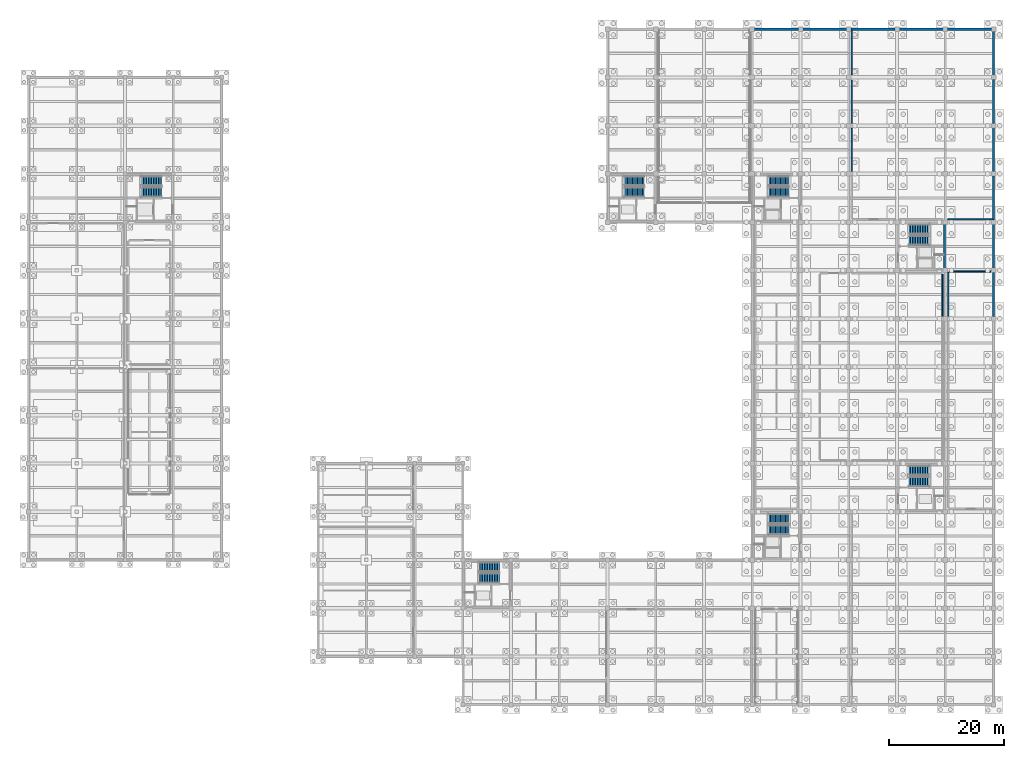
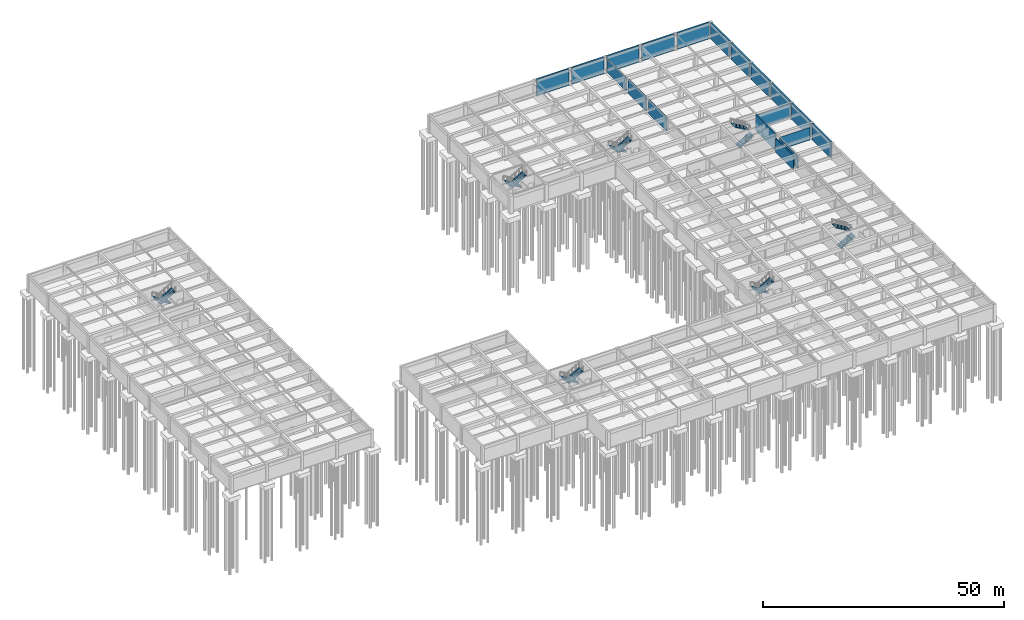
# One storey, part 24 of 33: 19 walls, 14 stair flights, 7 elements without a shape of their own.
"""IFC4 building model written with IfcOpenShell, lengths in metres."""

from ifc_helpers import new_model, si_unit, direction, frame, frame_2d, origin, place, context, subcontext, project, spatial, polyline, rectangle, outline, extrude, material, layer, layer_set, type_object, element, aggregate, save


model = new_model("IFC4")

# Units and contexts
model_context = context("Model", 3, precision=1e-05, world=origin(), true_north=direction((0.0, 1.0)))
body_context = subcontext(model_context, "Body", "Model", "MODEL_VIEW")
ifc_project = project(units=[si_unit("LENGTHUNIT", "METRE"), si_unit("AREAUNIT", "SQUARE_METRE"), si_unit("VOLUMEUNIT", "CUBIC_METRE"), si_unit("PLANEANGLEUNIT", "RADIAN"), si_unit("MASSUNIT", "GRAM", prefix="KILO")], contexts=[model_context])

# Site, building, storey
site_placement = place(None, origin())
site = spatial("IfcSite", under=ifc_project, at=site_placement, CompositionType="ELEMENT")
building_placement = place(site_placement, origin())
building = spatial("IfcBuilding", under=site, at=building_placement, Name="Kveldsbrygga Polytechnic", CompositionType="ELEMENT")
storey_placement = place(building_placement, frame((0.0, 0.0, -4.419921875)))
storey = spatial("IfcBuildingStorey", under=building, at=storey_placement, Name="B1", CompositionType="ELEMENT", Elevation=-4.419921875)

# Walls
ifc_material_1 = material(Name="Concrete blockwork masonry", Category="masonry")
ifc_layer_1 = layer(ifc_material_1, 0.2099609375)
ifc_layer_set_1 = layer_set([ifc_layer_1], Name="Concrete blockwork masonry")
wall_type_1 = type_object("IfcWallType", Name="IW-PLT-210", PredefinedType="PARTITIONING", material=ifc_layer_set_1)
wall_1_placement = place(storey_placement, frame((160.25, 75.39990234375, 0.0), z_axis=(0.0, 0.0, 1.0), x_axis=(1.0, 0.0, 0.0)))
element("IfcWall", 1, at=wall_1_placement, inside=storey, type_object=wall_type_1, Name="Partition Wall IW-SP-B1-SPRK-N1", PredefinedType="PARTITIONING", context=body_context, shape_type="SweptSolid", body=[
    extrude(rectangle(XDim=7.199951171875, YDim=0.2099609375, at=frame_2d((3.60009765625, 0.0))), origin(), (0.0, 0.0, 1.0), 3.169921875),
])
wall_2_placement = place(storey_placement, frame((160.10009765625, 67.64990234375, 0.0), z_axis=(0.0, 0.0, 1.0), x_axis=(0.0, 1.0, 0.0)))
element("IfcWall", 2, at=wall_2_placement, inside=storey, type_object=wall_type_1, Name="Partition Wall IW-SP-B1-SPRK-W5", PredefinedType="PARTITIONING", context=body_context, shape_type="SweptSolid", body=[
    extrude(rectangle(XDim=7.60009765625, YDim=0.2099609375, at=frame_2d((3.800048828125, 0.0))), origin(), (0.0, 0.0, 1.0), 3.169921875),
])
wall_3_placement = place(storey_placement, frame((159.10009765625, 67.64990234375, 0.0), z_axis=(0.0, 0.0, 1.0), x_axis=(0.0, 1.0, 0.0)))
element("IfcWall", 3, at=wall_3_placement, inside=storey, type_object=wall_type_1, Name="Partition Wall IW-SP-B1-ELEC2-E4", PredefinedType="PARTITIONING", context=body_context, shape_type="SweptSolid", body=[
    extrude(rectangle(XDim=7.300048828125, YDim=0.2099609375, at=frame_2d((3.64990234375, 0.0))), origin(), (0.0, 0.0, 1.0), 3.56982421875),
])
wall_4_placement = place(storey_placement, frame((160.050048828125, 84.5, 0.0), z_axis=(0.0, 0.0, 1.0), x_axis=(1.0, 0.0, 0.0)))
element("IfcWall", 4, at=wall_4_placement, inside=storey, type_object=wall_type_1, Name="Partition Wall IW-SP-B1-AHU-S3", PredefinedType="PARTITIONING", context=body_context, shape_type="SweptSolid", body=[
    extrude(rectangle(XDim=7.77001953125, YDim=0.2099609375, at=frame_2d((3.885009765625, 0.0))), origin(), (0.0, 0.0, 1.0), 3.369873046875),
])
wall_5_placement = place(storey_placement, frame((143.300048828125, 92.860107421875, 0.0), z_axis=(0.0, 0.0, 1.0), x_axis=(0.0, 1.0, 0.0)))
element("IfcWall", 5, at=wall_5_placement, inside=storey, type_object=wall_type_1, Name="Partition Wall IW-SP-B1-AHU-W2", PredefinedType="PARTITIONING", context=body_context, shape_type="SweptSolid", body=[
    extrude(rectangle(XDim=7.489990234375, YDim=0.2099609375, at=frame_2d((3.7451171875, 0.0))), origin(), (0.0, 0.0, 1.0), 3.56982421875),
])
wall_6_placement = place(storey_placement, frame((143.300048828125, 101.25, 0.0), z_axis=(0.0, 0.0, 1.0), x_axis=(0.0, 1.0, 0.0)))
element("IfcWall", 6, at=wall_6_placement, inside=storey, type_object=wall_type_1, Name="Partition Wall IW-SP-B1-AHU-W3", PredefinedType="PARTITIONING", context=body_context, shape_type="SweptSolid", body=[
    extrude(rectangle(XDim=7.489990234375, YDim=0.2099609375, at=frame_2d((3.7451171875, 0.0))), origin(), (0.0, 0.0, 1.0), 3.559814453125),
])
wall_7_placement = place(storey_placement, frame((143.300048828125, 109.659912109375, 0.0), z_axis=(0.0, 0.0, 1.0), x_axis=(0.0, 1.0, 0.0)))
element("IfcWall", 7, at=wall_7_placement, inside=storey, type_object=wall_type_1, Name="Partition Wall IW-SP-B1-AHU-W4", PredefinedType="PARTITIONING", context=body_context, shape_type="SweptSolid", body=[
    extrude(rectangle(XDim=7.760009765625, YDim=0.2099609375, at=frame_2d((3.8798828125, 0.0))), origin(), (0.0, 0.0, 1.0), 3.3798828125),
])
ifc_material_2 = material(Name="Concrete C45/55", Category="concrete")
ifc_layer_2 = layer(ifc_material_2, 0.300048828125)
ifc_layer_set_2 = layer_set([ifc_layer_2], Name="Concrete C45/55")
wall_type_2 = type_object("IfcWallType", Name="WL-CORE-300", PredefinedType="SHEAR", material=ifc_layer_set_2)
wall_8_placement = place(storey_placement, frame((159.449951171875, 75.75, 0.0), z_axis=(0.0, 0.0, 1.0), x_axis=(0.0, 1.0, 0.0)))
element("IfcWall", 8, at=wall_8_placement, inside=storey, type_object=wall_type_2, Name="Core C4 Shear Wall C4-B1-SW-E", PredefinedType="SHEAR", context=body_context, shape_type="SweptSolid", body=[
    extrude(rectangle(XDim=8.10009765625, YDim=0.300048828125, at=frame_2d((4.050048828125, 0.0))), origin(), (0.0, 0.0, 1.0), 4.119873046875),
])
ifc_material_3 = material(Name="Concrete C35/45", Category="concrete")
ifc_layer_3 = layer(ifc_material_3, 0.360107421875)
ifc_layer_set_3 = layer_set([ifc_layer_3], Name="Concrete C35/45")
wall_type_3 = type_object("IfcWallType", Name="WL-RET-360", PredefinedType="USERDEFINED", material=ifc_layer_set_3)
for number, where, z_axis, x_axis, name in (
    (9, (168.0, 67.550048828125, 0.0), (0.0, 0.0, 1.0), (0.0, 1.0, 0.0), "Basement Retaining Wall RW-E-19-08"),
    (10, (168.0, 75.949951171875, 0.0), (0.0, 0.0, 1.0), (0.0, 1.0, 0.0), "Basement Retaining Wall RW-E-19-09"),
    (11, (168.0, 84.35009765625, 0.0), (0.0, 0.0, 1.0), (0.0, 1.0, 0.0), "Basement Retaining Wall RW-E-19-10"),
    (12, (168.0, 92.75, 0.0), (0.0, 0.0, 1.0), (0.0, 1.0, 0.0), "Basement Retaining Wall RW-E-19-11"),
):
    element("IfcWall", number, at=place(storey_placement, frame(where, z_axis=z_axis, x_axis=x_axis)), inside=storey, type_object=wall_type_3, Name=name, ObjectType="RETAININGWALL", PredefinedType="USERDEFINED", context=body_context, shape_type="SweptSolid", body=[
        extrude(rectangle(XDim=7.699951171875, YDim=0.360107421875, at=frame_2d((3.85009765625, 0.0))), origin(), (0.0, 0.0, 1.0), 4.119873046875),
    ])
wall_9_placement = place(storey_placement, frame((168.0, 101.14990234375, 0.0), z_axis=(0.0, 0.0, 1.0), x_axis=(0.0, 1.0, 0.0)))
element("IfcWall", 13, at=wall_9_placement, inside=storey, type_object=wall_type_3, Name="Basement Retaining Wall RW-E-19-12", ObjectType="RETAININGWALL", PredefinedType="USERDEFINED", context=body_context, shape_type="SweptSolid", body=[
    extrude(rectangle(XDim=7.7001953125, YDim=0.360107421875, at=frame_2d((3.85009765625, 0.0))), origin(), (0.0, 0.0, 1.0), 4.119873046875),
])
wall_10_placement = place(storey_placement, frame((168.0, 109.550048828125, 0.0), z_axis=(0.0, 0.0, 1.0), x_axis=(0.0, 1.0, 0.0)))
element("IfcWall", 14, at=wall_10_placement, inside=storey, type_object=wall_type_3, Name="Basement Retaining Wall RW-E-19-13", ObjectType="RETAININGWALL", PredefinedType="USERDEFINED", context=body_context, shape_type="SweptSolid", body=[
    extrude(rectangle(XDim=7.699951171875, YDim=0.360107421875, at=frame_2d((3.85009765625, 0.0))), origin(), (0.0, 0.0, 1.0), 4.119873046875),
])
ifc_layer_4 = layer(ifc_material_3, 0.39990234375)
ifc_layer_set_4 = layer_set([ifc_layer_4], Name="Concrete C35/45")
wall_type_4 = type_object("IfcWallType", Name="WL-RET-400", PredefinedType="USERDEFINED", material=ifc_layer_set_4)
for number, where, z_axis, x_axis, name in (
    (15, (126.35009765625, 117.60009765625, 0.0), (0.0, 0.0, 1.0), (1.0, 0.0, 0.0), "Basement Retaining Wall RW-N-15-13"),
    (16, (134.75, 117.60009765625, 0.0), (0.0, 0.0, 1.0), (1.0, 0.0, 0.0), "Basement Retaining Wall RW-N-16-13"),
):
    element("IfcWall", number, at=place(storey_placement, frame(where, z_axis=z_axis, x_axis=x_axis)), inside=storey, type_object=wall_type_4, Name=name, ObjectType="RETAININGWALL", PredefinedType="USERDEFINED", context=body_context, shape_type="SweptSolid", body=[
        extrude(rectangle(XDim=7.699951171875, YDim=0.39990234375, at=frame_2d((3.85009765625, 0.0))), origin(), (0.0, 0.0, 1.0), 4.119873046875),
    ])
wall_11_placement = place(storey_placement, frame((143.14990234375, 117.60009765625, 0.0), z_axis=(0.0, 0.0, 1.0), x_axis=(1.0, 0.0, 0.0)))
element("IfcWall", 17, at=wall_11_placement, inside=storey, type_object=wall_type_4, Name="Basement Retaining Wall RW-N-17-13", ObjectType="RETAININGWALL", PredefinedType="USERDEFINED", context=body_context, shape_type="SweptSolid", body=[
    extrude(rectangle(XDim=7.7001953125, YDim=0.39990234375, at=frame_2d((3.85009765625, 0.0))), origin(), (0.0, 0.0, 1.0), 4.119873046875),
])
for number, where, z_axis, x_axis, name in (
    (18, (151.550048828125, 117.60009765625, 0.0), (0.0, 0.0, 1.0), (1.0, 0.0, 0.0), "Basement Retaining Wall RW-N-18-13"),
    (19, (159.949951171875, 117.60009765625, 0.0), (0.0, 0.0, 1.0), (1.0, 0.0, 0.0), "Basement Retaining Wall RW-N-19-13"),
):
    element("IfcWall", number, at=place(storey_placement, frame(where, z_axis=z_axis, x_axis=x_axis)), inside=storey, type_object=wall_type_4, Name=name, ObjectType="RETAININGWALL", PredefinedType="USERDEFINED", context=body_context, shape_type="SweptSolid", body=[
        extrude(rectangle(XDim=7.699951171875, YDim=0.39990234375, at=frame_2d((3.85009765625, 0.0))), origin(), (0.0, 0.0, 1.0), 4.119873046875),
    ])

# Stair, stair flights
stair_type = type_object("IfcStairType", Name="STR-CORE-442", PredefinedType="HALF_TURN_STAIR", material=ifc_material_3)
stair_1_placement = place(storey_placement, origin())
stair_1 = element("IfcStair", 20, at=stair_1_placement, inside=storey, type_object=stair_type, Name="B1 Core C1 Escape Stair ST-1", PredefinedType="HALF_TURN_STAIR")
stair_flight_type = type_object("IfcStairFlightType", Name="SFL-CORE-13R", PredefinedType="STRAIGHT", material=ifc_material_3)
stair_flight_1_placement = place(storey_placement, frame((132.35009765625, 32.375, 0.0), z_axis=(0.0, 0.0, 1.0), x_axis=(-1.0, 0.0, 0.0)))
stair_flight_1 = element("IfcStairFlight", 21, at=stair_flight_1_placement, type_object=stair_flight_type, Name="ST-1 flight 1", NumberOfRisers=13, NumberOfTreads=12, PredefinedType="STRAIGHT", RiserHeight=0.17, TreadLength=0.29, context=body_context, shape_type="SweptSolid", body=[
    extrude(outline(polyline([(0.0, 0.0), (0.0, 0.169921875), (0.2900390625, 0.169921875), (0.2900390625, 0.340087890625), (0.580078125, 0.340087890625), (0.580078125, 0.510009765625), (0.8701171875, 0.510009765625), (0.8701171875, 0.679931640625), (1.159912109375, 0.679931640625), (1.159912109375, 0.85009765625), (1.449951171875, 0.85009765625), (1.449951171875, 1.02001953125), (1.739990234375, 1.02001953125), (1.739990234375, 1.18994140625), (2.030029296875, 1.18994140625), (2.030029296875, 1.360107421875), (2.320068359375, 1.360107421875), (2.320068359375, 1.530029296875), (2.610107421875, 1.530029296875), (2.610107421875, 1.699951171875), (2.89990234375, 1.699951171875), (2.89990234375, 1.8701171875), (3.18994140625, 1.8701171875), (3.18994140625, 2.0400390625), (3.47998046875, 2.0400390625), (3.47998046875, 2.2099609375), (3.47998046875, 1.854736328125), (0.316162109375, 0.0), (0.0, 0.0)])), frame((0.0, 0.824951171875, 0.0), z_axis=(0.0, -1.0, 0.0), x_axis=(1.0, 0.0, 0.0)), (0.0, 0.0, 1.0), 1.64990234375),
])
stair_flight_2_placement = place(storey_placement, frame((128.8701171875, 30.425048828125, 2.2099609375), z_axis=(0.0, 0.0, 1.0), x_axis=(1.0, 0.0, 0.0)))
stair_flight_2 = element("IfcStairFlight", 22, at=stair_flight_2_placement, type_object=stair_flight_type, Name="ST-1 flight 2", NumberOfRisers=13, NumberOfTreads=12, PredefinedType="STRAIGHT", RiserHeight=0.17, TreadLength=0.29, context=body_context, shape_type="SweptSolid", body=[
    extrude(outline(polyline([(0.0, 0.0), (0.0, 0.169921875), (0.2900390625, 0.169921875), (0.2900390625, 0.340087890625), (0.580078125, 0.340087890625), (0.580078125, 0.510009765625), (0.8701171875, 0.510009765625), (0.8701171875, 0.679931640625), (1.159912109375, 0.679931640625), (1.159912109375, 0.85009765625), (1.449951171875, 0.85009765625), (1.449951171875, 1.02001953125), (1.739990234375, 1.02001953125), (1.739990234375, 1.18994140625), (2.030029296875, 1.18994140625), (2.030029296875, 1.360107421875), (2.320068359375, 1.360107421875), (2.320068359375, 1.530029296875), (2.610107421875, 1.530029296875), (2.610107421875, 1.699951171875), (2.89990234375, 1.699951171875), (2.89990234375, 1.8701171875), (3.18994140625, 1.8701171875), (3.18994140625, 2.0400390625), (3.47998046875, 2.0400390625), (3.47998046875, 2.2099609375), (3.47998046875, 1.854736328125), (0.316162109375, 0.0), (0.0, 0.0)])), frame((0.0, 0.824951171875, 0.0), z_axis=(0.0, -1.0, 0.0), x_axis=(1.0, 0.0, 0.0)), (0.0, 0.0, 1.0), 1.64990234375),
])
aggregate(stair_1, [stair_flight_1, stair_flight_2])

stair_2_placement = place(storey_placement, origin())
stair_2 = element("IfcStair", 23, at=stair_2_placement, inside=storey, type_object=stair_type, Name="B1 Core C2 Escape Stair ST-2", PredefinedType="HALF_TURN_STAIR")
stair_flight_3_placement = place(storey_placement, frame((132.35009765625, 91.175048828125, 0.0), z_axis=(0.0, 0.0, 1.0), x_axis=(-1.0, 0.0, 0.0)))
stair_flight_3 = element("IfcStairFlight", 24, at=stair_flight_3_placement, type_object=stair_flight_type, Name="ST-2 flight 1", NumberOfRisers=13, NumberOfTreads=12, PredefinedType="STRAIGHT", RiserHeight=0.17, TreadLength=0.29, context=body_context, shape_type="SweptSolid", body=[
    extrude(outline(polyline([(0.0, 0.0), (0.0, 0.169921875), (0.2900390625, 0.169921875), (0.2900390625, 0.340087890625), (0.580078125, 0.340087890625), (0.580078125, 0.510009765625), (0.8701171875, 0.510009765625), (0.8701171875, 0.679931640625), (1.159912109375, 0.679931640625), (1.159912109375, 0.85009765625), (1.449951171875, 0.85009765625), (1.449951171875, 1.02001953125), (1.739990234375, 1.02001953125), (1.739990234375, 1.18994140625), (2.030029296875, 1.18994140625), (2.030029296875, 1.360107421875), (2.320068359375, 1.360107421875), (2.320068359375, 1.530029296875), (2.610107421875, 1.530029296875), (2.610107421875, 1.699951171875), (2.89990234375, 1.699951171875), (2.89990234375, 1.8701171875), (3.18994140625, 1.8701171875), (3.18994140625, 2.0400390625), (3.47998046875, 2.0400390625), (3.47998046875, 2.2099609375), (3.47998046875, 1.854736328125), (0.316162109375, 0.0), (0.0, 0.0)])), frame((0.0, 0.824951171875, 0.0), z_axis=(0.0, -1.0, 0.0), x_axis=(1.0, 0.0, 0.0)), (0.0, 0.0, 1.0), 1.64990234375),
])
stair_flight_4_placement = place(storey_placement, frame((128.8701171875, 89.22509765625, 2.2099609375), z_axis=(0.0, 0.0, 1.0), x_axis=(1.0, 0.0, 0.0)))
stair_flight_4 = element("IfcStairFlight", 25, at=stair_flight_4_placement, type_object=stair_flight_type, Name="ST-2 flight 2", NumberOfRisers=13, NumberOfTreads=12, PredefinedType="STRAIGHT", RiserHeight=0.17, TreadLength=0.29, context=body_context, shape_type="SweptSolid", body=[
    extrude(outline(polyline([(0.0, 0.0), (0.0, 0.169921875), (0.2900390625, 0.169921875), (0.2900390625, 0.340087890625), (0.580078125, 0.340087890625), (0.580078125, 0.510009765625), (0.8701171875, 0.510009765625), (0.8701171875, 0.679931640625), (1.159912109375, 0.679931640625), (1.159912109375, 0.85009765625), (1.449951171875, 0.85009765625), (1.449951171875, 1.02001953125), (1.739990234375, 1.02001953125), (1.739990234375, 1.18994140625), (2.030029296875, 1.18994140625), (2.030029296875, 1.360107421875), (2.320068359375, 1.360107421875), (2.320068359375, 1.530029296875), (2.610107421875, 1.530029296875), (2.610107421875, 1.699951171875), (2.89990234375, 1.699951171875), (2.89990234375, 1.8701171875), (3.18994140625, 1.8701171875), (3.18994140625, 2.0400390625), (3.47998046875, 2.0400390625), (3.47998046875, 2.2099609375), (3.47998046875, 1.854736328125), (0.316162109375, 0.0), (0.0, 0.0)])), frame((0.0, 0.824951171875, 0.0), z_axis=(0.0, -1.0, 0.0), x_axis=(1.0, 0.0, 0.0)), (0.0, 0.0, 1.0), 1.64990234375),
])
aggregate(stair_2, [stair_flight_3, stair_flight_4])

stair_3_placement = place(storey_placement, origin())
stair_3 = element("IfcStair", 26, at=stair_3_placement, inside=storey, type_object=stair_type, Name="B1 Core C3 Escape Stair ST-3", PredefinedType="HALF_TURN_STAIR")
stair_flight_5_placement = place(storey_placement, frame((153.25, 38.824951171875, 0.0), z_axis=(0.0, 0.0, 1.0), x_axis=(1.0, 0.0, 0.0)))
stair_flight_5 = element("IfcStairFlight", 27, at=stair_flight_5_placement, type_object=stair_flight_type, Name="ST-3 flight 1", NumberOfRisers=13, NumberOfTreads=12, PredefinedType="STRAIGHT", RiserHeight=0.17, TreadLength=0.29, context=body_context, shape_type="SweptSolid", body=[
    extrude(outline(polyline([(0.0, 0.0), (0.0, 0.169921875), (0.2900390625, 0.169921875), (0.2900390625, 0.340087890625), (0.580078125, 0.340087890625), (0.580078125, 0.510009765625), (0.8701171875, 0.510009765625), (0.8701171875, 0.679931640625), (1.159912109375, 0.679931640625), (1.159912109375, 0.85009765625), (1.449951171875, 0.85009765625), (1.449951171875, 1.02001953125), (1.739990234375, 1.02001953125), (1.739990234375, 1.18994140625), (2.030029296875, 1.18994140625), (2.030029296875, 1.360107421875), (2.320068359375, 1.360107421875), (2.320068359375, 1.530029296875), (2.610107421875, 1.530029296875), (2.610107421875, 1.699951171875), (2.89990234375, 1.699951171875), (2.89990234375, 1.8701171875), (3.18994140625, 1.8701171875), (3.18994140625, 2.0400390625), (3.47998046875, 2.0400390625), (3.47998046875, 2.2099609375), (3.47998046875, 1.854736328125), (0.316162109375, 0.0), (0.0, 0.0)])), frame((0.0, 0.824951171875, 0.0), z_axis=(0.0, -1.0, 0.0), x_axis=(1.0, 0.0, 0.0)), (0.0, 0.0, 1.0), 1.64990234375),
])
stair_flight_6_placement = place(storey_placement, frame((156.72998046875, 40.77490234375, 2.2099609375), z_axis=(0.0, 0.0, 1.0), x_axis=(-1.0, 0.0, 0.0)))
stair_flight_6 = element("IfcStairFlight", 28, at=stair_flight_6_placement, type_object=stair_flight_type, Name="ST-3 flight 2", NumberOfRisers=13, NumberOfTreads=12, PredefinedType="STRAIGHT", RiserHeight=0.17, TreadLength=0.29, context=body_context, shape_type="SweptSolid", body=[
    extrude(outline(polyline([(0.0, 0.0), (0.0, 0.169921875), (0.2900390625, 0.169921875), (0.2900390625, 0.340087890625), (0.580078125, 0.340087890625), (0.580078125, 0.510009765625), (0.8701171875, 0.510009765625), (0.8701171875, 0.679931640625), (1.159912109375, 0.679931640625), (1.159912109375, 0.85009765625), (1.449951171875, 0.85009765625), (1.449951171875, 1.02001953125), (1.739990234375, 1.02001953125), (1.739990234375, 1.18994140625), (2.030029296875, 1.18994140625), (2.030029296875, 1.360107421875), (2.320068359375, 1.360107421875), (2.320068359375, 1.530029296875), (2.610107421875, 1.530029296875), (2.610107421875, 1.699951171875), (2.89990234375, 1.699951171875), (2.89990234375, 1.8701171875), (3.18994140625, 1.8701171875), (3.18994140625, 2.0400390625), (3.47998046875, 2.0400390625), (3.47998046875, 2.2099609375), (3.47998046875, 1.854736328125), (0.316162109375, 0.0), (0.0, 0.0)])), frame((0.0, 0.824951171875, 0.0), z_axis=(0.0, -1.0, 0.0), x_axis=(1.0, 0.0, 0.0)), (0.0, 0.0, 1.0), 1.64990234375),
])
aggregate(stair_3, [stair_flight_5, stair_flight_6])

stair_4_placement = place(storey_placement, origin())
stair_4 = element("IfcStair", 29, at=stair_4_placement, inside=storey, type_object=stair_type, Name="B1 Core C4 Escape Stair ST-4", PredefinedType="HALF_TURN_STAIR")
stair_flight_7_placement = place(storey_placement, frame((153.25, 80.824951171875, 0.0), z_axis=(0.0, 0.0, 1.0), x_axis=(1.0, 0.0, 0.0)))
stair_flight_7 = element("IfcStairFlight", 30, at=stair_flight_7_placement, type_object=stair_flight_type, Name="ST-4 flight 1", NumberOfRisers=13, NumberOfTreads=12, PredefinedType="STRAIGHT", RiserHeight=0.17, TreadLength=0.29, context=body_context, shape_type="SweptSolid", body=[
    extrude(outline(polyline([(0.0, 0.0), (0.0, 0.169921875), (0.2900390625, 0.169921875), (0.2900390625, 0.340087890625), (0.580078125, 0.340087890625), (0.580078125, 0.510009765625), (0.8701171875, 0.510009765625), (0.8701171875, 0.679931640625), (1.159912109375, 0.679931640625), (1.159912109375, 0.85009765625), (1.449951171875, 0.85009765625), (1.449951171875, 1.02001953125), (1.739990234375, 1.02001953125), (1.739990234375, 1.18994140625), (2.030029296875, 1.18994140625), (2.030029296875, 1.360107421875), (2.320068359375, 1.360107421875), (2.320068359375, 1.530029296875), (2.610107421875, 1.530029296875), (2.610107421875, 1.699951171875), (2.89990234375, 1.699951171875), (2.89990234375, 1.8701171875), (3.18994140625, 1.8701171875), (3.18994140625, 2.0400390625), (3.47998046875, 2.0400390625), (3.47998046875, 2.2099609375), (3.47998046875, 1.854736328125), (0.316162109375, 0.0), (0.0, 0.0)])), frame((0.0, 0.824951171875, 0.0), z_axis=(0.0, -1.0, 0.0), x_axis=(1.0, 0.0, 0.0)), (0.0, 0.0, 1.0), 1.64990234375),
])
stair_flight_8_placement = place(storey_placement, frame((156.72998046875, 82.77490234375, 2.2099609375), z_axis=(0.0, 0.0, 1.0), x_axis=(-1.0, 0.0, 0.0)))
stair_flight_8 = element("IfcStairFlight", 31, at=stair_flight_8_placement, type_object=stair_flight_type, Name="ST-4 flight 2", NumberOfRisers=13, NumberOfTreads=12, PredefinedType="STRAIGHT", RiserHeight=0.17, TreadLength=0.29, context=body_context, shape_type="SweptSolid", body=[
    extrude(outline(polyline([(0.0, 0.0), (0.0, 0.169921875), (0.2900390625, 0.169921875), (0.2900390625, 0.340087890625), (0.580078125, 0.340087890625), (0.580078125, 0.510009765625), (0.8701171875, 0.510009765625), (0.8701171875, 0.679931640625), (1.159912109375, 0.679931640625), (1.159912109375, 0.85009765625), (1.449951171875, 0.85009765625), (1.449951171875, 1.02001953125), (1.739990234375, 1.02001953125), (1.739990234375, 1.18994140625), (2.030029296875, 1.18994140625), (2.030029296875, 1.360107421875), (2.320068359375, 1.360107421875), (2.320068359375, 1.530029296875), (2.610107421875, 1.530029296875), (2.610107421875, 1.699951171875), (2.89990234375, 1.699951171875), (2.89990234375, 1.8701171875), (3.18994140625, 1.8701171875), (3.18994140625, 2.0400390625), (3.47998046875, 2.0400390625), (3.47998046875, 2.2099609375), (3.47998046875, 1.854736328125), (0.316162109375, 0.0), (0.0, 0.0)])), frame((0.0, 0.824951171875, 0.0), z_axis=(0.0, -1.0, 0.0), x_axis=(1.0, 0.0, 0.0)), (0.0, 0.0, 1.0), 1.64990234375),
])
aggregate(stair_4, [stair_flight_7, stair_flight_8])

stair_5_placement = place(storey_placement, origin())
stair_5 = element("IfcStair", 32, at=stair_5_placement, inside=storey, type_object=stair_type, Name="B1 Core C5 Escape Stair ST-5", PredefinedType="HALF_TURN_STAIR")
stair_flight_9_placement = place(storey_placement, frame((107.14990234375, 91.175048828125, 0.0), z_axis=(0.0, 0.0, 1.0), x_axis=(-1.0, 0.0, 0.0)))
stair_flight_9 = element("IfcStairFlight", 33, at=stair_flight_9_placement, type_object=stair_flight_type, Name="ST-5 flight 1", NumberOfRisers=13, NumberOfTreads=12, PredefinedType="STRAIGHT", RiserHeight=0.17, TreadLength=0.29, context=body_context, shape_type="SweptSolid", body=[
    extrude(outline(polyline([(0.0, 0.0), (0.0, 0.169921875), (0.2900390625, 0.169921875), (0.2900390625, 0.340087890625), (0.580078125, 0.340087890625), (0.580078125, 0.510009765625), (0.8701171875, 0.510009765625), (0.8701171875, 0.679931640625), (1.159912109375, 0.679931640625), (1.159912109375, 0.85009765625), (1.449951171875, 0.85009765625), (1.449951171875, 1.02001953125), (1.739990234375, 1.02001953125), (1.739990234375, 1.18994140625), (2.030029296875, 1.18994140625), (2.030029296875, 1.360107421875), (2.320068359375, 1.360107421875), (2.320068359375, 1.530029296875), (2.610107421875, 1.530029296875), (2.610107421875, 1.699951171875), (2.89990234375, 1.699951171875), (2.89990234375, 1.8701171875), (3.18994140625, 1.8701171875), (3.18994140625, 2.0400390625), (3.47998046875, 2.0400390625), (3.47998046875, 2.2099609375), (3.47998046875, 1.854736328125), (0.316162109375, 0.0), (0.0, 0.0)])), frame((0.0, 0.824951171875, 0.0), z_axis=(0.0, -1.0, 0.0), x_axis=(1.0, 0.0, 0.0)), (0.0, 0.0, 1.0), 1.64990234375),
])
stair_flight_10_placement = place(storey_placement, frame((103.669921875, 89.22509765625, 2.2099609375), z_axis=(0.0, 0.0, 1.0), x_axis=(1.0, 0.0, 0.0)))
stair_flight_10 = element("IfcStairFlight", 34, at=stair_flight_10_placement, type_object=stair_flight_type, Name="ST-5 flight 2", NumberOfRisers=13, NumberOfTreads=12, PredefinedType="STRAIGHT", RiserHeight=0.17, TreadLength=0.29, context=body_context, shape_type="SweptSolid", body=[
    extrude(outline(polyline([(0.0, 0.0), (0.0, 0.169921875), (0.2900390625, 0.169921875), (0.2900390625, 0.340087890625), (0.580078125, 0.340087890625), (0.580078125, 0.510009765625), (0.8701171875, 0.510009765625), (0.8701171875, 0.679931640625), (1.159912109375, 0.679931640625), (1.159912109375, 0.85009765625), (1.449951171875, 0.85009765625), (1.449951171875, 1.02001953125), (1.739990234375, 1.02001953125), (1.739990234375, 1.18994140625), (2.030029296875, 1.18994140625), (2.030029296875, 1.360107421875), (2.320068359375, 1.360107421875), (2.320068359375, 1.530029296875), (2.610107421875, 1.530029296875), (2.610107421875, 1.699951171875), (2.89990234375, 1.699951171875), (2.89990234375, 1.8701171875), (3.18994140625, 1.8701171875), (3.18994140625, 2.0400390625), (3.47998046875, 2.0400390625), (3.47998046875, 2.2099609375), (3.47998046875, 1.854736328125), (0.316162109375, 0.0), (0.0, 0.0)])), frame((0.0, 0.824951171875, 0.0), z_axis=(0.0, -1.0, 0.0), x_axis=(1.0, 0.0, 0.0)), (0.0, 0.0, 1.0), 1.64990234375),
])
aggregate(stair_5, [stair_flight_9, stair_flight_10])

stair_6_placement = place(storey_placement, origin())
stair_6 = element("IfcStair", 35, at=stair_6_placement, inside=storey, type_object=stair_type, Name="B1 Core C6 Escape Stair ST-6", PredefinedType="HALF_TURN_STAIR")
stair_flight_11_placement = place(storey_placement, frame((81.949951171875, 23.97509765625, 0.0), z_axis=(0.0, 0.0, 1.0), x_axis=(-1.0, 0.0, 0.0)))
stair_flight_11 = element("IfcStairFlight", 36, at=stair_flight_11_placement, type_object=stair_flight_type, Name="ST-6 flight 1", NumberOfRisers=13, NumberOfTreads=12, PredefinedType="STRAIGHT", RiserHeight=0.17, TreadLength=0.29, context=body_context, shape_type="SweptSolid", body=[
    extrude(outline(polyline([(0.0, 0.0), (0.0, 0.169921875), (0.2900390625, 0.169921875), (0.2900390625, 0.340087890625), (0.580078125, 0.340087890625), (0.580078125, 0.510009765625), (0.8701171875, 0.510009765625), (0.8701171875, 0.679931640625), (1.159912109375, 0.679931640625), (1.159912109375, 0.85009765625), (1.449951171875, 0.85009765625), (1.449951171875, 1.02001953125), (1.739990234375, 1.02001953125), (1.739990234375, 1.18994140625), (2.030029296875, 1.18994140625), (2.030029296875, 1.360107421875), (2.320068359375, 1.360107421875), (2.320068359375, 1.530029296875), (2.610107421875, 1.530029296875), (2.610107421875, 1.699951171875), (2.89990234375, 1.699951171875), (2.89990234375, 1.8701171875), (3.18994140625, 1.8701171875), (3.18994140625, 2.0400390625), (3.47998046875, 2.0400390625), (3.47998046875, 2.2099609375), (3.47998046875, 1.854736328125), (0.316162109375, 0.0), (0.0, 0.0)])), frame((0.0, 0.824951171875, 0.0), z_axis=(0.0, -1.0, 0.0), x_axis=(1.0, 0.0, 0.0)), (0.0, 0.0, 1.0), 1.64990234375),
])
stair_flight_12_placement = place(storey_placement, frame((78.469970703125, 22.02490234375, 2.2099609375), z_axis=(0.0, 0.0, 1.0), x_axis=(1.0, 0.0, 0.0)))
stair_flight_12 = element("IfcStairFlight", 37, at=stair_flight_12_placement, type_object=stair_flight_type, Name="ST-6 flight 2", NumberOfRisers=13, NumberOfTreads=12, PredefinedType="STRAIGHT", RiserHeight=0.17, TreadLength=0.29, context=body_context, shape_type="SweptSolid", body=[
    extrude(outline(polyline([(0.0, 0.0), (0.0, 0.169921875), (0.2900390625, 0.169921875), (0.2900390625, 0.340087890625), (0.580078125, 0.340087890625), (0.580078125, 0.510009765625), (0.8701171875, 0.510009765625), (0.8701171875, 0.679931640625), (1.159912109375, 0.679931640625), (1.159912109375, 0.85009765625), (1.449951171875, 0.85009765625), (1.449951171875, 1.02001953125), (1.739990234375, 1.02001953125), (1.739990234375, 1.18994140625), (2.030029296875, 1.18994140625), (2.030029296875, 1.360107421875), (2.320068359375, 1.360107421875), (2.320068359375, 1.530029296875), (2.610107421875, 1.530029296875), (2.610107421875, 1.699951171875), (2.89990234375, 1.699951171875), (2.89990234375, 1.8701171875), (3.18994140625, 1.8701171875), (3.18994140625, 2.0400390625), (3.47998046875, 2.0400390625), (3.47998046875, 2.2099609375), (3.47998046875, 1.854736328125), (0.316162109375, 0.0), (0.0, 0.0)])), frame((0.0, 0.824951171875, 0.0), z_axis=(0.0, -1.0, 0.0), x_axis=(1.0, 0.0, 0.0)), (0.0, 0.0, 1.0), 1.64990234375),
])
aggregate(stair_6, [stair_flight_11, stair_flight_12])

stair_7_placement = place(storey_placement, origin())
stair_7 = element("IfcStair", 38, at=stair_7_placement, inside=storey, type_object=stair_type, Name="B1 Core C8 Escape Stair ST-8", PredefinedType="HALF_TURN_STAIR")
stair_flight_13_placement = place(storey_placement, frame((23.14990234375, 91.175048828125, 0.0), z_axis=(0.0, 0.0, 1.0), x_axis=(-1.0, 0.0, 0.0)))
stair_flight_13 = element("IfcStairFlight", 39, at=stair_flight_13_placement, type_object=stair_flight_type, Name="ST-8 flight 1", NumberOfRisers=13, NumberOfTreads=12, PredefinedType="STRAIGHT", RiserHeight=0.17, TreadLength=0.29, context=body_context, shape_type="SweptSolid", body=[
    extrude(outline(polyline([(0.0, 0.0), (0.0, 0.169921875), (0.2900390625, 0.169921875), (0.2900390625, 0.340087890625), (0.580078125, 0.340087890625), (0.580078125, 0.510009765625), (0.8701171875, 0.510009765625), (0.8701171875, 0.679931640625), (1.159912109375, 0.679931640625), (1.159912109375, 0.85009765625), (1.449951171875, 0.85009765625), (1.449951171875, 1.02001953125), (1.739990234375, 1.02001953125), (1.739990234375, 1.18994140625), (2.030029296875, 1.18994140625), (2.030029296875, 1.360107421875), (2.320068359375, 1.360107421875), (2.320068359375, 1.530029296875), (2.610107421875, 1.530029296875), (2.610107421875, 1.699951171875), (2.89990234375, 1.699951171875), (2.89990234375, 1.8701171875), (3.18994140625, 1.8701171875), (3.18994140625, 2.0400390625), (3.47998046875, 2.0400390625), (3.47998046875, 2.2099609375), (3.47998046875, 1.854736328125), (0.316162109375, 0.0), (0.0, 0.0)])), frame((0.0, 0.824951171875, 0.0), z_axis=(0.0, -1.0, 0.0), x_axis=(1.0, 0.0, 0.0)), (0.0, 0.0, 1.0), 1.64990234375),
])
stair_flight_14_placement = place(storey_placement, frame((19.669921875, 89.22509765625, 2.2099609375), z_axis=(0.0, 0.0, 1.0), x_axis=(1.0, 0.0, 0.0)))
stair_flight_14 = element("IfcStairFlight", 40, at=stair_flight_14_placement, type_object=stair_flight_type, Name="ST-8 flight 2", NumberOfRisers=13, NumberOfTreads=12, PredefinedType="STRAIGHT", RiserHeight=0.17, TreadLength=0.29, context=body_context, shape_type="SweptSolid", body=[
    extrude(outline(polyline([(0.0, 0.0), (0.0, 0.169921875), (0.2900390625, 0.169921875), (0.2900390625, 0.340087890625), (0.580078125, 0.340087890625), (0.580078125, 0.510009765625), (0.8701171875, 0.510009765625), (0.8701171875, 0.679931640625), (1.159912109375, 0.679931640625), (1.159912109375, 0.85009765625), (1.449951171875, 0.85009765625), (1.449951171875, 1.02001953125), (1.739990234375, 1.02001953125), (1.739990234375, 1.18994140625), (2.030029296875, 1.18994140625), (2.030029296875, 1.360107421875), (2.320068359375, 1.360107421875), (2.320068359375, 1.530029296875), (2.610107421875, 1.530029296875), (2.610107421875, 1.699951171875), (2.89990234375, 1.699951171875), (2.89990234375, 1.8701171875), (3.18994140625, 1.8701171875), (3.18994140625, 2.0400390625), (3.47998046875, 2.0400390625), (3.47998046875, 2.2099609375), (3.47998046875, 1.854736328125), (0.316162109375, 0.0), (0.0, 0.0)])), frame((0.0, 0.824951171875, 0.0), z_axis=(0.0, -1.0, 0.0), x_axis=(1.0, 0.0, 0.0)), (0.0, 0.0, 1.0), 1.64990234375),
])
aggregate(stair_7, [stair_flight_13, stair_flight_14])

save(model, "model.ifc")
